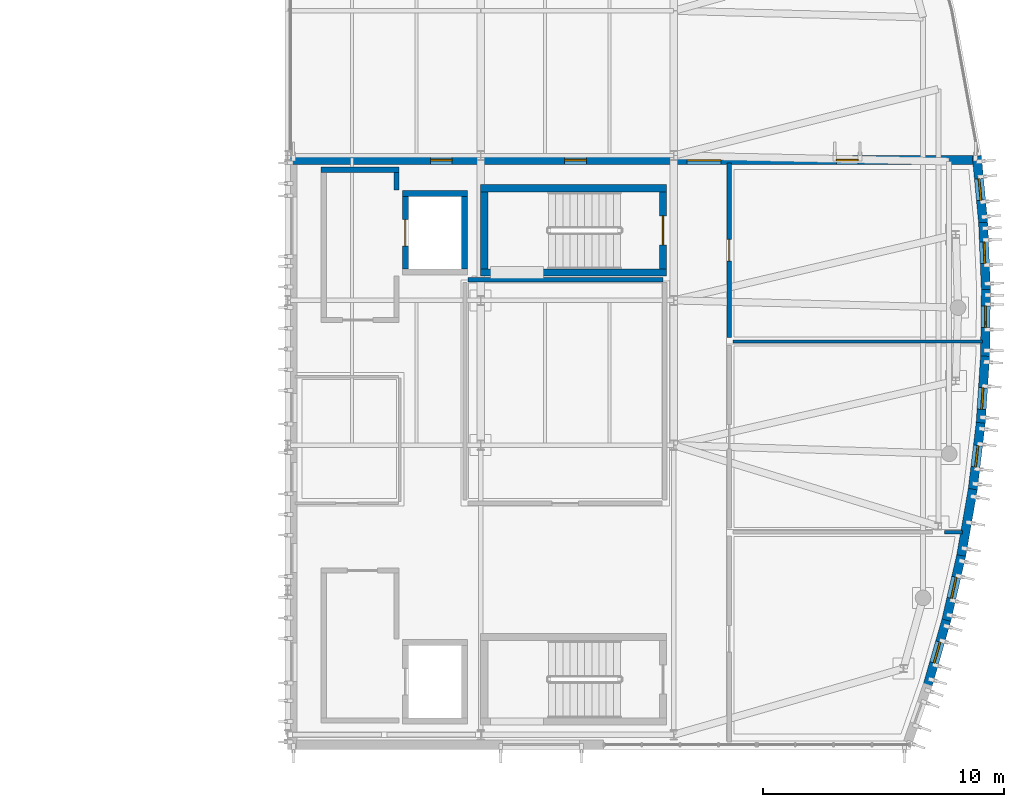
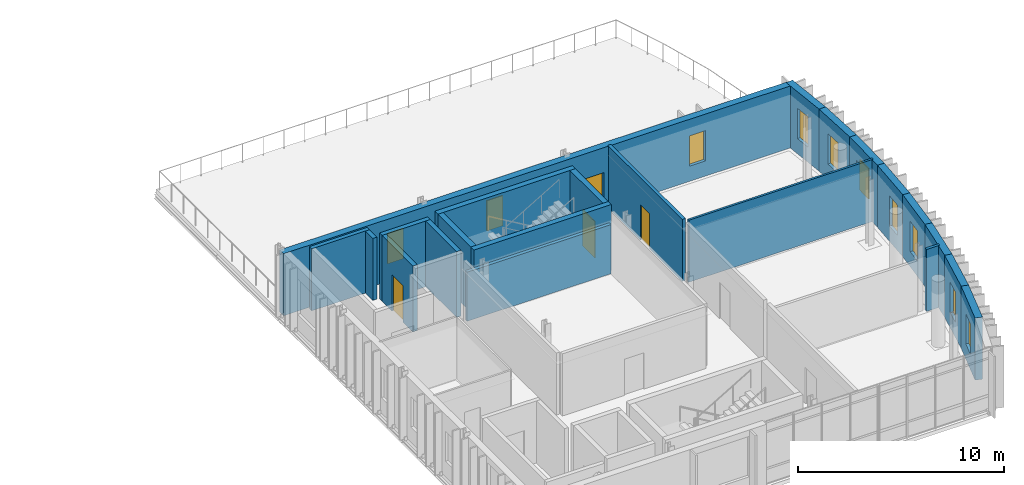
# One storey, part 30 of 40: 22 walls, 10 windows, 4 doors, 14 openings.
"""IFC4 building model written with IfcOpenShell, lengths in metres."""

from ifc_helpers import new_model, si_unit, direction, frame, frame_2d, origin, place, context, subcontext, project, spatial, rectangle, extrude, material, layer, layer_set, type_object, element, fill, save


model = new_model("IFC4")

# Units and contexts
model_context = context("Model", 3, precision=1e-05, world=origin(), true_north=direction((0.0, 1.0)))
body_context = subcontext(model_context, "Body", "Model", "MODEL_VIEW")
ifc_project = project(units=[si_unit("LENGTHUNIT", "METRE"), si_unit("AREAUNIT", "SQUARE_METRE"), si_unit("VOLUMEUNIT", "CUBIC_METRE"), si_unit("PLANEANGLEUNIT", "RADIAN"), si_unit("MASSUNIT", "GRAM", prefix="KILO")], contexts=[model_context])

# Site, building, storey
site_placement = place(None, origin())
site = spatial("IfcSite", under=ifc_project, at=site_placement, CompositionType="ELEMENT")
building_placement = place(site_placement, origin())
building = spatial("IfcBuilding", under=site, at=building_placement, Name="Cymarion Research Institute", CompositionType="ELEMENT")
storey_placement = place(building_placement, frame((0.0, 0.0, 26.699951171875)))
storey = spatial("IfcBuildingStorey", under=building, at=storey_placement, Name="L06", CompositionType="ELEMENT", Elevation=26.699951171875)

# Wall, opening, window
ifc_material_1 = material(Name="Precast concrete C40/50", Category="concrete")
ifc_layer_1 = layer(ifc_material_1, 0.3798828125)
ifc_layer_set_1 = layer_set([ifc_layer_1], Name="Precast concrete C40/50")
wall_type_1 = type_object("IfcWallType", Name="EXTERIOR WALL EW-PC380 380MM", PredefinedType="SOLIDWALL", material=ifc_layer_set_1)
wall_1_placement = place(storey_placement, frame((165.122314453125, 7.5673828125, 0.0), z_axis=(0.0, 0.0, 1.0), x_axis=(0.275772175055, 0.961223026912, 0.0)))
wall_1 = element("IfcWall", 1, at=wall_1_placement, inside=storey, type_object=wall_type_1, Name="L06 V1 exterior wall EW-PC380 #250", PredefinedType="SOLIDWALL", context=body_context, shape_type="SweptSolid", body=[
    extrude(rectangle(XDim=2.791259765625, YDim=0.3798828125, at=frame_2d((1.3955078125, 0.0))), origin(), (0.0, 0.0, 1.0), 3.679931640625),
])
opening_1_placement = place(wall_1_placement, frame((0.946044921875, 0.0, 0.89990234375)))
opening_1 = element("IfcOpeningElement", 2, at=opening_1_placement, cuts=wall_1, Name="Opening W24", PredefinedType="OPENING", context=body_context, shape_type="SweptSolid", body=[
    extrude(rectangle(XDim=0.89990234375, YDim=1.800048828125, at=frame_2d((0.449951171875, 0.89990234375))), frame((0.0, 0.199951171875, 0.0), z_axis=(0.0, -1.0, 0.0), x_axis=(1.0, 0.0, 0.0)), (0.0, 0.0, 1.0), 0.39990234375),
])
ifc_material_2 = material(Name="Thermally broken aluminium window with Low-E glazing", Category="aluminium")
window_type = type_object("IfcWindowType", Name="THERMALLY BROKEN ALUMINIUM WINDOW W24 900X1800", PartitioningType="SINGLE_PANEL", PredefinedType="WINDOW", material=ifc_material_2)
window_1_placement = place(opening_1_placement, origin())
window_1 = element("IfcWindow", 3, at=window_1_placement, inside=storey, type_object=window_type, Name="L06 V1 facade window W24 #460", OverallHeight=1.800048828125, OverallWidth=0.89990234375, PartitioningType="SINGLE_PANEL", PredefinedType="WINDOW", context=body_context, shape_type="SweptSolid", body=[
    extrude(rectangle(XDim=0.89990234375, YDim=1.800048828125, at=frame_2d((0.449951171875, 0.89990234375))), frame((0.0, 0.030029296875, 0.0), z_axis=(0.0, -1.0, 0.0), x_axis=(1.0, 0.0, 0.0)), (0.0, 0.0, 1.0), 0.06005859375),
])
fill(opening_1, window_1)

wall_2_placement = place(storey_placement, frame((165.886962890625, 10.22900390625, 0.0), z_axis=(0.0, 0.0, 1.0), x_axis=(0.224009786197, 0.974586894888, 0.0)))
wall_2 = element("IfcWall", 4, at=wall_2_placement, inside=storey, type_object=wall_type_1, Name="L06 V1 exterior wall EW-PC380 #251", PredefinedType="SOLIDWALL", context=body_context, shape_type="SweptSolid", body=[
    extrude(rectangle(XDim=2.791259765625, YDim=0.3798828125, at=frame_2d((1.3955078125, 0.0))), origin(), (0.0, 0.0, 1.0), 3.679931640625),
])
opening_2_placement = place(wall_2_placement, frame((0.946044921875, 0.0, 0.89990234375)))
opening_2 = element("IfcOpeningElement", 5, at=opening_2_placement, cuts=wall_2, Name="Opening W24", PredefinedType="OPENING", context=body_context, shape_type="SweptSolid", body=[
    extrude(rectangle(XDim=0.89990234375, YDim=1.800048828125, at=frame_2d((0.449951171875, 0.89990234375))), frame((0.0, 0.199951171875, 0.0), z_axis=(0.0, -1.0, 0.0), x_axis=(1.0, 0.0, 0.0)), (0.0, 0.0, 1.0), 0.39990234375),
])
window_2_placement = place(opening_2_placement, origin())
window_2 = element("IfcWindow", 6, at=window_2_placement, inside=storey, type_object=window_type, Name="L06 V1 facade window W24 #461", OverallHeight=1.800048828125, OverallWidth=0.89990234375, PartitioningType="SINGLE_PANEL", PredefinedType="WINDOW", context=body_context, shape_type="SweptSolid", body=[
    extrude(rectangle(XDim=0.89990234375, YDim=1.800048828125, at=frame_2d((0.449951171875, 0.89990234375))), frame((0.0, 0.030029296875, 0.0), z_axis=(0.0, -1.0, 0.0), x_axis=(1.0, 0.0, 0.0)), (0.0, 0.0, 1.0), 0.06005859375),
])
fill(opening_2, window_2)

# Wall
wall_3_placement = place(storey_placement, frame((166.50830078125, 12.927490234375, 0.0), z_axis=(0.0, 0.0, 1.0), x_axis=(0.171699219546, 0.985149419128, 0.0)))
element("IfcWall", 7, at=wall_3_placement, inside=storey, type_object=wall_type_1, Name="L06 V1 exterior wall EW-PC380 #252", PredefinedType="SOLIDWALL", context=body_context, shape_type="SweptSolid", body=[
    extrude(rectangle(XDim=2.791259765625, YDim=0.3798828125, at=frame_2d((1.3955078125, 0.0))), origin(), (0.0, 0.0, 1.0), 3.679931640625),
])

# Wall, opening, window
wall_4_placement = place(storey_placement, frame((166.984619140625, 15.6552734375, 0.0), z_axis=(0.0, 0.0, 1.0), x_axis=(0.118779618782, 0.992920642429, 0.0)))
wall_4 = element("IfcWall", 8, at=wall_4_placement, inside=storey, type_object=wall_type_1, Name="L06 V1 exterior wall EW-PC380 #253", PredefinedType="SOLIDWALL", context=body_context, shape_type="SweptSolid", body=[
    extrude(rectangle(XDim=2.791259765625, YDim=0.3798828125, at=frame_2d((1.3955078125, 0.0))), origin(), (0.0, 0.0, 1.0), 3.679931640625),
])
opening_3_placement = place(wall_4_placement, frame((0.946044921875, 0.0, 0.89990234375)))
opening_3 = element("IfcOpeningElement", 9, at=opening_3_placement, cuts=wall_4, Name="Opening W24", PredefinedType="OPENING", context=body_context, shape_type="SweptSolid", body=[
    extrude(rectangle(XDim=0.89990234375, YDim=1.800048828125, at=frame_2d((0.449951171875, 0.89990234375))), frame((0.0, 0.199951171875, 0.0), z_axis=(0.0, -1.0, 0.0), x_axis=(1.0, 0.0, 0.0)), (0.0, 0.0, 1.0), 0.39990234375),
])
window_3_placement = place(opening_3_placement, origin())
window_3 = element("IfcWindow", 10, at=window_3_placement, inside=storey, type_object=window_type, Name="L06 V1 facade window W24 #462", OverallHeight=1.800048828125, OverallWidth=0.89990234375, PartitioningType="SINGLE_PANEL", PredefinedType="WINDOW", context=body_context, shape_type="SweptSolid", body=[
    extrude(rectangle(XDim=0.89990234375, YDim=1.800048828125, at=frame_2d((0.449951171875, 0.89990234375))), frame((0.0, 0.030029296875, 0.0), z_axis=(0.0, -1.0, 0.0), x_axis=(1.0, 0.0, 0.0)), (0.0, 0.0, 1.0), 0.06005859375),
])
fill(opening_3, window_3)

wall_5_placement = place(storey_placement, frame((167.314453125, 18.404541015625, 0.0), z_axis=(0.0, 0.0, 1.0), x_axis=(0.065595994181, 0.997846263483, 0.0)))
wall_5 = element("IfcWall", 11, at=wall_5_placement, inside=storey, type_object=wall_type_1, Name="L06 V1 exterior wall EW-PC380 #254", PredefinedType="SOLIDWALL", context=body_context, shape_type="SweptSolid", body=[
    extrude(rectangle(XDim=2.79150390625, YDim=0.3798828125, at=frame_2d((1.395751953125, 0.0))), origin(), (0.0, 0.0, 1.0), 3.679931640625),
])
opening_4_placement = place(wall_5_placement, frame((0.5791015625, 0.0, 0.89990234375)))
opening_4 = element("IfcOpeningElement", 12, at=opening_4_placement, cuts=wall_5, Name="Opening W24", PredefinedType="OPENING", context=body_context, shape_type="SweptSolid", body=[
    extrude(rectangle(XDim=0.89990234375, YDim=1.800048828125, at=frame_2d((0.449951171875, 0.89990234375))), frame((0.0, 0.199951171875, 0.0), z_axis=(0.0, -1.0, 0.0), x_axis=(1.0, 0.0, 0.0)), (0.0, 0.0, 1.0), 0.39990234375),
])
window_4_placement = place(opening_4_placement, origin())
window_4 = element("IfcWindow", 13, at=window_4_placement, inside=storey, type_object=window_type, Name="L06 V1 facade window W24 #463", OverallHeight=1.800048828125, OverallWidth=0.89990234375, PartitioningType="SINGLE_PANEL", PredefinedType="WINDOW", context=body_context, shape_type="SweptSolid", body=[
    extrude(rectangle(XDim=0.89990234375, YDim=1.800048828125, at=frame_2d((0.449951171875, 0.89990234375))), frame((0.0, 0.030029296875, 0.0), z_axis=(0.0, -1.0, 0.0), x_axis=(1.0, 0.0, 0.0)), (0.0, 0.0, 1.0), 0.06005859375),
])
fill(opening_4, window_4)

wall_6_placement = place(storey_placement, frame((167.4970703125, 21.167724609375, 0.0), z_axis=(0.0, 0.0, 1.0), x_axis=(0.012157953676, 0.99992608935, 0.0)))
wall_6 = element("IfcWall", 14, at=wall_6_placement, inside=storey, type_object=wall_type_1, Name="L06 V1 exterior wall EW-PC380 #255", PredefinedType="SOLIDWALL", context=body_context, shape_type="SweptSolid", body=[
    extrude(rectangle(XDim=2.791259765625, YDim=0.3798828125, at=frame_2d((1.3955078125, 0.0))), origin(), (0.0, 0.0, 1.0), 3.679931640625),
])
opening_5_placement = place(wall_6_placement, frame((1.201904296875, 0.0, 0.89990234375)))
opening_5 = element("IfcOpeningElement", 15, at=opening_5_placement, cuts=wall_6, Name="Opening W24", PredefinedType="OPENING", context=body_context, shape_type="SweptSolid", body=[
    extrude(rectangle(XDim=0.89990234375, YDim=1.800048828125, at=frame_2d((0.449951171875, 0.89990234375))), frame((0.0, 0.199951171875, 0.0), z_axis=(0.0, -1.0, 0.0), x_axis=(1.0, 0.0, 0.0)), (0.0, 0.0, 1.0), 0.39990234375),
])
window_5_placement = place(opening_5_placement, origin())
window_5 = element("IfcWindow", 16, at=window_5_placement, inside=storey, type_object=window_type, Name="L06 V1 facade window W24 #464", OverallHeight=1.800048828125, OverallWidth=0.89990234375, PartitioningType="SINGLE_PANEL", PredefinedType="WINDOW", context=body_context, shape_type="SweptSolid", body=[
    extrude(rectangle(XDim=0.89990234375, YDim=1.800048828125, at=frame_2d((0.449951171875, 0.89990234375))), frame((0.0, 0.030029296875, 0.0), z_axis=(0.0, -1.0, 0.0), x_axis=(1.0, 0.0, 0.0)), (0.0, 0.0, 1.0), 0.06005859375),
])
fill(opening_5, window_5)

wall_7_placement = place(storey_placement, frame((167.53173828125, 23.9365234375, 0.0), z_axis=(0.0, 0.0, 1.0), x_axis=(-0.041284914613, 0.999147414462, 0.0)))
wall_7 = element("IfcWall", 17, at=wall_7_placement, inside=storey, type_object=wall_type_1, Name="L06 V1 exterior wall EW-PC380 #256", PredefinedType="SOLIDWALL", context=body_context, shape_type="SweptSolid", body=[
    extrude(rectangle(XDim=2.791259765625, YDim=0.3798828125, at=frame_2d((1.3955078125, 0.0))), origin(), (0.0, 0.0, 1.0), 3.679931640625),
])
opening_6_placement = place(wall_7_placement, frame((1.093017578125, 0.0, 0.89990234375)))
opening_6 = element("IfcOpeningElement", 18, at=opening_6_placement, cuts=wall_7, Name="Opening W24", PredefinedType="OPENING", context=body_context, shape_type="SweptSolid", body=[
    extrude(rectangle(XDim=0.89990234375, YDim=1.800048828125, at=frame_2d((0.449951171875, 0.89990234375))), frame((0.0, 0.199951171875, 0.0), z_axis=(0.0, -1.0, 0.0), x_axis=(1.0, 0.0, 0.0)), (0.0, 0.0, 1.0), 0.39990234375),
])
window_6_placement = place(opening_6_placement, origin())
window_6 = element("IfcWindow", 19, at=window_6_placement, inside=storey, type_object=window_type, Name="L06 V1 facade window W24 #465", OverallHeight=1.800048828125, OverallWidth=0.89990234375, PartitioningType="SINGLE_PANEL", PredefinedType="WINDOW", context=body_context, shape_type="SweptSolid", body=[
    extrude(rectangle(XDim=0.89990234375, YDim=1.800048828125, at=frame_2d((0.449951171875, 0.89990234375))), frame((0.0, 0.030029296875, 0.0), z_axis=(0.0, -1.0, 0.0), x_axis=(1.0, 0.0, 0.0)), (0.0, 0.0, 1.0), 0.06005859375),
])
fill(opening_6, window_6)

wall_8_placement = place(storey_placement, frame((167.418212890625, 26.703369140625, 0.0), z_axis=(0.0, 0.0, 1.0), x_axis=(-0.094557288026, 0.99551942185, 0.0)))
wall_8 = element("IfcWall", 20, at=wall_8_placement, inside=storey, type_object=wall_type_1, Name="L06 V1 exterior wall EW-PC380 #257", PredefinedType="SOLIDWALL", context=body_context, shape_type="SweptSolid", body=[
    extrude(rectangle(XDim=2.791015625, YDim=0.3798828125, at=frame_2d((1.3955078125, 0.0))), origin(), (0.0, 0.0, 1.0), 3.679931640625),
])
opening_7_placement = place(wall_8_placement, frame((0.946044921875, 0.0, 0.89990234375)))
opening_7 = element("IfcOpeningElement", 21, at=opening_7_placement, cuts=wall_8, Name="Opening W24", PredefinedType="OPENING", context=body_context, shape_type="SweptSolid", body=[
    extrude(rectangle(XDim=0.89990234375, YDim=1.800048828125, at=frame_2d((0.449951171875, 0.89990234375))), frame((0.0, 0.199951171875, 0.0), z_axis=(0.0, -1.0, 0.0), x_axis=(1.0, 0.0, 0.0)), (0.0, 0.0, 1.0), 0.39990234375),
])
window_7_placement = place(opening_7_placement, origin())
window_7 = element("IfcWindow", 22, at=window_7_placement, inside=storey, type_object=window_type, Name="L06 V1 facade window W24 #466", OverallHeight=1.800048828125, OverallWidth=0.89990234375, PartitioningType="SINGLE_PANEL", PredefinedType="WINDOW", context=body_context, shape_type="SweptSolid", body=[
    extrude(rectangle(XDim=0.89990234375, YDim=1.800048828125, at=frame_2d((0.449951171875, 0.89990234375))), frame((0.0, 0.030029296875, 0.0), z_axis=(0.0, -1.0, 0.0), x_axis=(1.0, 0.0, 0.0)), (0.0, 0.0, 1.0), 0.06005859375),
])
fill(opening_7, window_7)

# Wall, openings, door, windows
wall_9_placement = place(storey_placement, frame((167.015869140625, 29.31005859375, 0.0), z_axis=(0.0, 0.0, 1.0), x_axis=(-1.0, 0.0, 0.0)))
wall_9 = element("IfcWall", 23, at=wall_9_placement, inside=storey, type_object=wall_type_1, Name="L06 V1 exterior wall EW-PC380 #258", PredefinedType="SOLIDWALL", context=body_context, shape_type="SweptSolid", body=[
    extrude(rectangle(XDim=28.415771484375, YDim=0.3798828125, at=frame_2d((14.2080078125, 0.0))), origin(), (0.0, 0.0, 1.0), 3.679931640625),
])
opening_8_placement = place(wall_9_placement, frame((10.466064453125, 0.0, 0.0)))
opening_8 = element("IfcOpeningElement", 24, at=opening_8_placement, cuts=wall_9, Name="Opening D-TR-L06-V1", PredefinedType="OPENING", context=body_context, shape_type="SweptSolid", body=[
    extrude(rectangle(XDim=1.39990234375, YDim=2.199951171875, at=frame_2d((0.699951171875, 1.10009765625))), frame((0.0, 0.199951171875, 0.0), z_axis=(0.0, -1.0, 0.0), x_axis=(1.0, 0.0, 0.0)), (0.0, 0.0, 1.0), 0.39990234375),
])
opening_9_placement = place(wall_9_placement, frame((4.778076171875, 0.0, 0.89990234375)))
opening_9 = element("IfcOpeningElement", 25, at=opening_9_placement, cuts=wall_9, Name="Opening W24", PredefinedType="OPENING", context=body_context, shape_type="SweptSolid", body=[
    extrude(rectangle(XDim=0.89990234375, YDim=1.800048828125, at=frame_2d((0.449951171875, 0.89990234375))), frame((0.0, 0.199951171875, 0.0), z_axis=(0.0, -1.0, 0.0), x_axis=(1.0, 0.0, 0.0)), (0.0, 0.0, 1.0), 0.39990234375),
])
opening_10_placement = place(wall_9_placement, frame((16.035888671875, 0.0, 0.89990234375)))
opening_10 = element("IfcOpeningElement", 26, at=opening_10_placement, cuts=wall_9, Name="Opening W24", PredefinedType="OPENING", context=body_context, shape_type="SweptSolid", body=[
    extrude(rectangle(XDim=0.89990234375, YDim=1.800048828125, at=frame_2d((0.449951171875, 0.89990234375))), frame((0.0, 0.199951171875, 0.0), z_axis=(0.0, -1.0, 0.0), x_axis=(1.0, 0.0, 0.0)), (0.0, 0.0, 1.0), 0.39990234375),
])
opening_11_placement = place(wall_9_placement, frame((21.596923828125, 0.0, 0.89990234375)))
opening_11 = element("IfcOpeningElement", 27, at=opening_11_placement, cuts=wall_9, Name="Opening W24", PredefinedType="OPENING", context=body_context, shape_type="SweptSolid", body=[
    extrude(rectangle(XDim=0.89990234375, YDim=1.800048828125, at=frame_2d((0.449951171875, 0.89990234375))), frame((0.0, 0.199951171875, 0.0), z_axis=(0.0, -1.0, 0.0), x_axis=(1.0, 0.0, 0.0)), (0.0, 0.0, 1.0), 0.39990234375),
])
ifc_material_3 = material(Name="Thermally broken anodised aluminium glazed door", Category="aluminium")
door_type_1 = type_object("IfcDoorType", Name="GLAZED ALUMINIUM TERRACE ACCESS DOOR DT-TR140 1400X2200", OperationType="NOTDEFINED", PredefinedType="DOOR", material=ifc_material_3)
door_1_placement = place(opening_8_placement, frame((1.39990234375, 0.0, 0.0), z_axis=(0.0, 0.0, 1.0), x_axis=(-1.0, 0.0, 0.0)))
door_1 = element("IfcDoor", 28, at=door_1_placement, inside=storey, type_object=door_type_1, Name="L06 V1 Roof Garden Terrace Door D-TR-L06-V1", OperationType="SINGLE_SWING_LEFT", OverallHeight=2.199951171875, OverallWidth=1.39990234375, PredefinedType="DOOR", context=body_context, shape_type="SweptSolid", body=[
    extrude(rectangle(XDim=1.39990234375, YDim=2.199951171875, at=frame_2d((0.699951171875, 1.10009765625))), frame((0.0, 0.02490234375, 0.0), z_axis=(0.0, -1.0, 0.0), x_axis=(1.0, 0.0, 0.0)), (0.0, 0.0, 1.0), 0.050048828125),
])
fill(opening_8, door_1)
window_8_placement = place(opening_9_placement, origin())
window_8 = element("IfcWindow", 29, at=window_8_placement, inside=storey, type_object=window_type, Name="L06 V1 facade window W24 #467", OverallHeight=1.800048828125, OverallWidth=0.89990234375, PartitioningType="SINGLE_PANEL", PredefinedType="WINDOW", context=body_context, shape_type="SweptSolid", body=[
    extrude(rectangle(XDim=0.89990234375, YDim=1.800048828125, at=frame_2d((0.449951171875, 0.89990234375))), frame((0.0, 0.030029296875, 0.0), z_axis=(0.0, -1.0, 0.0), x_axis=(1.0, 0.0, 0.0)), (0.0, 0.0, 1.0), 0.06005859375),
])
fill(opening_9, window_8)
window_9_placement = place(opening_10_placement, origin())
window_9 = element("IfcWindow", 30, at=window_9_placement, inside=storey, type_object=window_type, Name="L06 V1 facade window W24 #468", OverallHeight=1.800048828125, OverallWidth=0.89990234375, PartitioningType="SINGLE_PANEL", PredefinedType="WINDOW", context=body_context, shape_type="SweptSolid", body=[
    extrude(rectangle(XDim=0.89990234375, YDim=1.800048828125, at=frame_2d((0.449951171875, 0.89990234375))), frame((0.0, 0.030029296875, 0.0), z_axis=(0.0, -1.0, 0.0), x_axis=(1.0, 0.0, 0.0)), (0.0, 0.0, 1.0), 0.06005859375),
])
fill(opening_10, window_9)
window_10_placement = place(opening_11_placement, origin())
window_10 = element("IfcWindow", 31, at=window_10_placement, inside=storey, type_object=window_type, Name="L06 V1 facade window W24 #469", OverallHeight=1.800048828125, OverallWidth=0.89990234375, PartitioningType="SINGLE_PANEL", PredefinedType="WINDOW", context=body_context, shape_type="SweptSolid", body=[
    extrude(rectangle(XDim=0.89990234375, YDim=1.800048828125, at=frame_2d((0.449951171875, 0.89990234375))), frame((0.0, 0.030029296875, 0.0), z_axis=(0.0, -1.0, 0.0), x_axis=(1.0, 0.0, 0.0)), (0.0, 0.0, 1.0), 0.06005859375),
])
fill(opening_11, window_10)

# Walls
ifc_material_4 = material(Name="Gypsum acoustic double-stud partition", Category="gypsum")
ifc_layer_2 = layer(ifc_material_4, 0.14990234375)
ifc_layer_set_2 = layer_set([ifc_layer_2], Name="Gypsum acoustic double-stud partition")
wall_type_2 = type_object("IfcWallType", Name="INTERIOR PARTITION IW-AC150 150MM", PredefinedType="PARTITIONING", material=ifc_layer_set_2)
wall_10_placement = place(storey_placement, frame((165.809814453125, 13.89990234375, 0.0), z_axis=(0.0, 0.0, 1.0), x_axis=(1.0, 0.0, 0.0)))
element("IfcWall", 32, at=wall_10_placement, inside=storey, type_object=wall_type_2, Name="L06 V1 interior partition IW-AC150 #352", PredefinedType="PARTITIONING", context=body_context, shape_type="SweptSolid", body=[
    extrude(rectangle(XDim=0.751220703125, YDim=0.14990234375, at=frame_2d((0.37548828125, 0.0))), origin(), (0.0, 0.0, 1.0), 3.679931640625),
])
ifc_material_5 = material(Name="Moisture-resistant laboratory partition", Category="gypsum")
ifc_layer_3 = layer(ifc_material_5, 0.179931640625)
ifc_layer_set_3 = layer_set([ifc_layer_3], Name="Moisture-resistant laboratory partition")
wall_type_3 = type_object("IfcWallType", Name="INTERIOR PARTITION IW-LB180 180MM", PredefinedType="PARTITIONING", material=ifc_layer_set_3)
wall_11_placement = place(storey_placement, frame((146.080078125, 24.35009765625, 0.0), z_axis=(0.0, 0.0, 1.0), x_axis=(1.0, 0.0, 0.0)))
element("IfcWall", 33, at=wall_11_placement, inside=storey, type_object=wall_type_3, Name="L06 V1 interior partition IW-LB180 #348", PredefinedType="PARTITIONING", context=body_context, shape_type="SweptSolid", body=[
    extrude(rectangle(XDim=8.06982421875, YDim=0.179931640625, at=frame_2d((4.034912109375, 0.0))), origin(), (0.0, 0.0, 1.0), 2.91015625),
])

# Wall, opening, door
wall_12_placement = place(storey_placement, frame((156.89990234375, 21.9599609375, 0.0), z_axis=(0.0, 0.0, 1.0), x_axis=(0.0, 1.0, 0.0)))
wall_12 = element("IfcWall", 34, at=wall_12_placement, inside=storey, type_object=wall_type_3, Name="L06 V1 interior partition IW-LB180 #356", PredefinedType="PARTITIONING", context=body_context, shape_type="SweptSolid", body=[
    extrude(rectangle(XDim=7.235107421875, YDim=0.179931640625, at=frame_2d((3.61767578125, 0.0))), origin(), (0.0, 0.0, 1.0), 3.679931640625),
])
opening_12_placement = place(wall_12_placement, frame((3.1669921875, 0.0, 0.0)))
opening_12 = element("IfcOpeningElement", 35, at=opening_12_placement, cuts=wall_12, Name="Opening D-L06-210", PredefinedType="OPENING", context=body_context, shape_type="SweptSolid", body=[
    extrude(rectangle(XDim=0.89990234375, YDim=2.10009765625, at=frame_2d((0.449951171875, 1.050048828125))), frame((0.0, 0.099853515625, 0.0), z_axis=(0.0, -1.0, 0.0), x_axis=(1.0, 0.0, 0.0)), (0.0, 0.0, 1.0), 0.199951171875),
])
ifc_material_6 = material(Name="Flush acoustic timber/steel door assembly", Category="steel")
door_type_2 = type_object("IfcDoorType", Name="ACCESSIBLE RESTROOM DOOR DT-WC090 900X2100", OperationType="NOTDEFINED", PredefinedType="DOOR", material=ifc_material_6)
door_2_placement = place(opening_12_placement, origin())
door_2 = element("IfcDoor", 36, at=door_2_placement, inside=storey, type_object=door_type_2, Name="L06 Tower WC door D-L06-210", OperationType="SINGLE_SWING_LEFT", OverallHeight=2.10009765625, OverallWidth=0.89990234375, PredefinedType="DOOR", context=body_context, shape_type="SweptSolid", body=[
    extrude(rectangle(XDim=0.89990234375, YDim=2.10009765625, at=frame_2d((0.449951171875, 1.050048828125))), frame((0.0, 0.02490234375, 0.0), z_axis=(0.0, -1.0, 0.0), x_axis=(1.0, 0.0, 0.0)), (0.0, 0.0, 1.0), 0.050048828125),
])
fill(opening_12, door_2)

# Walls
ifc_material_7 = material(Name="Service riser shaft wall", Category="gypsum")
ifc_layer_4 = layer(ifc_material_7, 0.1201171875)
ifc_layer_set_4 = layer_set([ifc_layer_4], Name="Service riser shaft wall")
wall_type_4 = type_object("IfcWallType", Name="INTERIOR PARTITION IW-SH120 120MM", PredefinedType="PARTITIONING", material=ifc_layer_set_4)
wall_13_placement = place(storey_placement, frame((157.050048828125, 21.800048828125, 0.0), z_axis=(0.0, 0.0, 1.0), x_axis=(1.0, 0.0, 0.0)))
element("IfcWall", 37, at=wall_13_placement, inside=storey, type_object=wall_type_4, Name="L06 V1 interior partition IW-SH120 #353", PredefinedType="PARTITIONING", context=body_context, shape_type="SweptSolid", body=[
    extrude(rectangle(XDim=10.339599609375, YDim=0.1201171875, at=frame_2d((5.169921875, 0.0))), origin(), (0.0, 0.0, 1.0), 3.679931640625),
])
ifc_material_8 = material(Name="Concrete C40/50", Category="concrete")
ifc_layer_5 = layer(ifc_material_8, 0.219970703125)
ifc_layer_set_5 = layer_set([ifc_layer_5], Name="Concrete C40/50")
wall_type_5 = type_object("IfcWallType", Name="REINFORCED CONCRETE CORE WALL CW-FF220 220MM", PredefinedType="SOLIDWALL", material=ifc_layer_set_5)
wall_14_placement = place(storey_placement, frame((143.219970703125, 28.909912109375, 0.0), z_axis=(0.0, 0.0, 1.0), x_axis=(-1.0, 0.0, 0.0)))
element("IfcWall", 38, at=wall_14_placement, inside=storey, type_object=wall_type_5, Name="L06 FFL-LF2-L06 north core wall", PredefinedType="SOLIDWALL", context=body_context, shape_type="SweptSolid", body=[
    extrude(rectangle(XDim=3.239990234375, YDim=0.219970703125, at=frame_2d((1.6201171875, 0.0))), origin(), (0.0, 0.0, 1.0), 3.679931640625),
])
wall_15_placement = place(storey_placement, frame((143.110107421875, 28.080078125, 0.0), z_axis=(0.0, 0.0, 1.0), x_axis=(0.0, 1.0, 0.0)))
element("IfcWall", 39, at=wall_15_placement, inside=storey, type_object=wall_type_5, Name="Core C2 firefighting lobby east closure wall L06 #2", PredefinedType="SOLIDWALL", context=body_context, shape_type="SweptSolid", body=[
    extrude(rectangle(XDim=0.719970703125, YDim=0.219970703125, at=frame_2d((0.35986328125, 0.0))), origin(), (0.0, 0.0, 1.0), 3.679931640625),
])
ifc_layer_6 = layer(ifc_material_8, 0.25)
ifc_layer_set_6 = layer_set([ifc_layer_6], Name="Concrete C40/50")
wall_type_6 = type_object("IfcWallType", Name="REINFORCED CONCRETE CORE WALL CW-SH250 250MM", PredefinedType="SHEAR", material=ifc_layer_set_6)
wall_16_placement = place(storey_placement, frame((146.050048828125, 27.925048828125, 0.0), z_axis=(0.0, 0.0, 1.0), x_axis=(-1.0, 0.0, 0.0)))
element("IfcWall", 40, at=wall_16_placement, inside=storey, type_object=wall_type_6, Name="L06 LSH-LF2-L06 north core wall", PredefinedType="SHEAR", context=body_context, shape_type="SweptSolid", body=[
    extrude(rectangle(XDim=2.699951171875, YDim=0.25, at=frame_2d((1.35009765625, 0.0))), origin(), (0.0, 0.0, 1.0), 3.900146484375),
])

# Wall, opening, door
wall_17_placement = place(storey_placement, frame((143.47509765625, 27.800048828125, 0.0), z_axis=(0.0, 0.0, 1.0), x_axis=(0.0, -1.0, 0.0)))
wall_17 = element("IfcWall", 41, at=wall_17_placement, inside=storey, type_object=wall_type_6, Name="L06 LSH-LF2-L06 west core wall", PredefinedType="SHEAR", context=body_context, shape_type="SweptSolid", body=[
    extrude(rectangle(XDim=3.0, YDim=0.25, at=frame_2d((1.5, 0.0))), origin(), (0.0, 0.0, 1.0), 3.900146484375),
])
opening_13_placement = place(wall_17_placement, frame((0.949951171875, 0.0, 0.0)))
opening_13 = element("IfcOpeningElement", 42, at=opening_13_placement, cuts=wall_17, Name="Opening LD-LF2-L06", PredefinedType="OPENING", context=body_context, shape_type="SweptSolid", body=[
    extrude(rectangle(XDim=1.10009765625, YDim=2.14990234375, at=frame_2d((0.550048828125, 1.074951171875))), frame((0.0, 0.135009765625, 0.0), z_axis=(0.0, -1.0, 0.0), x_axis=(1.0, 0.0, 0.0)), (0.0, 0.0, 1.0), 0.27001953125),
])
ifc_material_9 = material(Name="Fire-rated insulated steel door assembly", Category="steel")
door_type_3 = type_object("IfcDoorType", Name="SLIDING LIFT LANDING DOOR DT-LD110 1100X2150", OperationType="DOUBLE_DOOR_SLIDING", PredefinedType="DOOR", material=ifc_material_9)
door_3_placement = place(opening_13_placement, origin())
door_3 = element("IfcDoor", 43, at=door_3_placement, inside=storey, type_object=door_type_3, Name="Lift LF2 landing door L06", OperationType="DOUBLE_DOOR_SLIDING", OverallHeight=2.14990234375, OverallWidth=1.10009765625, PredefinedType="DOOR", context=body_context, shape_type="SweptSolid", body=[
    extrude(rectangle(XDim=1.10009765625, YDim=2.14990234375, at=frame_2d((0.550048828125, 1.074951171875))), frame((0.0, 0.02490234375, 0.0), z_axis=(0.0, -1.0, 0.0), x_axis=(1.0, 0.0, 0.0)), (0.0, 0.0, 1.0), 0.050048828125),
])
fill(opening_13, door_3)

# Walls
wall_18_placement = place(storey_placement, frame((145.925048828125, 24.800048828125, 0.0), z_axis=(0.0, 0.0, 1.0), x_axis=(0.0, 1.0, 0.0)))
element("IfcWall", 44, at=wall_18_placement, inside=storey, type_object=wall_type_6, Name="L06 LSH-LF2-L06 east core wall", PredefinedType="SHEAR", context=body_context, shape_type="SweptSolid", body=[
    extrude(rectangle(XDim=3.0, YDim=0.25, at=frame_2d((1.5, 0.0))), origin(), (0.0, 0.0, 1.0), 3.900146484375),
])
ifc_layer_7 = layer(ifc_material_8, 0.300048828125)
ifc_layer_set_7 = layer_set([ifc_layer_7], Name="Concrete C40/50")
wall_type_7 = type_object("IfcWallType", Name="REINFORCED CONCRETE CORE WALL CW-SH300 300MM", PredefinedType="SHEAR", material=ifc_layer_set_7)
for number, where, z_axis, x_axis, name in (
    (45, (146.60009765625, 24.64990234375, 0.0), (0.0, 0.0, 1.0), (1.0, 0.0, 0.0), "L06 SHW-C2-L06 south core wall"),
    (46, (154.300048828125, 28.14990234375, 0.0), (0.0, 0.0, 1.0), (-1.0, 0.0, 0.0), "L06 SHW-C2-L06 north core wall"),
):
    element("IfcWall", number, at=place(storey_placement, frame(where, z_axis=z_axis, x_axis=x_axis)), inside=storey, type_object=wall_type_7, Name=name, PredefinedType="SHEAR", context=body_context, shape_type="SweptSolid", body=[
        extrude(rectangle(XDim=7.699951171875, YDim=0.300048828125, at=frame_2d((3.85009765625, 0.0))), origin(), (0.0, 0.0, 1.0), 3.900146484375),
    ])
wall_19_placement = place(storey_placement, frame((146.75, 28.0, 0.0), z_axis=(0.0, 0.0, 1.0), x_axis=(0.0, -1.0, 0.0)))
element("IfcWall", 47, at=wall_19_placement, inside=storey, type_object=wall_type_7, Name="L06 SHW-C2-L06 west core wall", PredefinedType="SHEAR", context=body_context, shape_type="SweptSolid", body=[
    extrude(rectangle(XDim=3.199951171875, YDim=0.300048828125, at=frame_2d((1.60009765625, 0.0))), origin(), (0.0, 0.0, 1.0), 3.900146484375),
])

# Wall, opening, door
wall_20_placement = place(storey_placement, frame((154.14990234375, 24.800048828125, 0.0), z_axis=(0.0, 0.0, 1.0), x_axis=(0.0, 1.0, 0.0)))
wall_20 = element("IfcWall", 48, at=wall_20_placement, inside=storey, type_object=wall_type_7, Name="L06 SHW-C2-L06 east core wall", PredefinedType="SHEAR", context=body_context, shape_type="SweptSolid", body=[
    extrude(rectangle(XDim=3.199951171875, YDim=0.300048828125, at=frame_2d((1.60009765625, 0.0))), origin(), (0.0, 0.0, 1.0), 3.900146484375),
])
opening_14_placement = place(wall_20_placement, frame((1.0, 0.0, 0.0)))
opening_14 = element("IfcOpeningElement", 49, at=opening_14_placement, cuts=wall_20, Name="Opening FD-L06-ST2", PredefinedType="OPENING", context=body_context, shape_type="SweptSolid", body=[
    extrude(rectangle(XDim=1.199951171875, YDim=2.14990234375, at=frame_2d((0.60009765625, 1.074951171875))), frame((0.0, 0.159912109375, 0.0), z_axis=(0.0, -1.0, 0.0), x_axis=(1.0, 0.0, 0.0)), (0.0, 0.0, 1.0), 0.320068359375),
])
door_type_4 = type_object("IfcDoorType", Name="SMOKE PROOF STAIR FIRE DOOR DT-ST120 1200X2150", OperationType="NOTDEFINED", PredefinedType="DOOR", material=ifc_material_9)
door_4_placement = place(opening_14_placement, origin())
door_4 = element("IfcDoor", 50, at=door_4_placement, inside=storey, type_object=door_type_4, Name="L06 ST2 smoke-proof stair door FD-L06-ST2", OperationType="SINGLE_SWING_LEFT", OverallHeight=2.14990234375, OverallWidth=1.199951171875, PredefinedType="DOOR", context=body_context, shape_type="SweptSolid", body=[
    extrude(rectangle(XDim=1.199951171875, YDim=2.14990234375, at=frame_2d((0.60009765625, 1.074951171875))), frame((0.0, 0.02490234375, 0.0), z_axis=(0.0, -1.0, 0.0), x_axis=(1.0, 0.0, 0.0)), (0.0, 0.0, 1.0), 0.050048828125),
])
fill(opening_14, door_4)

save(model, "model.ifc")
